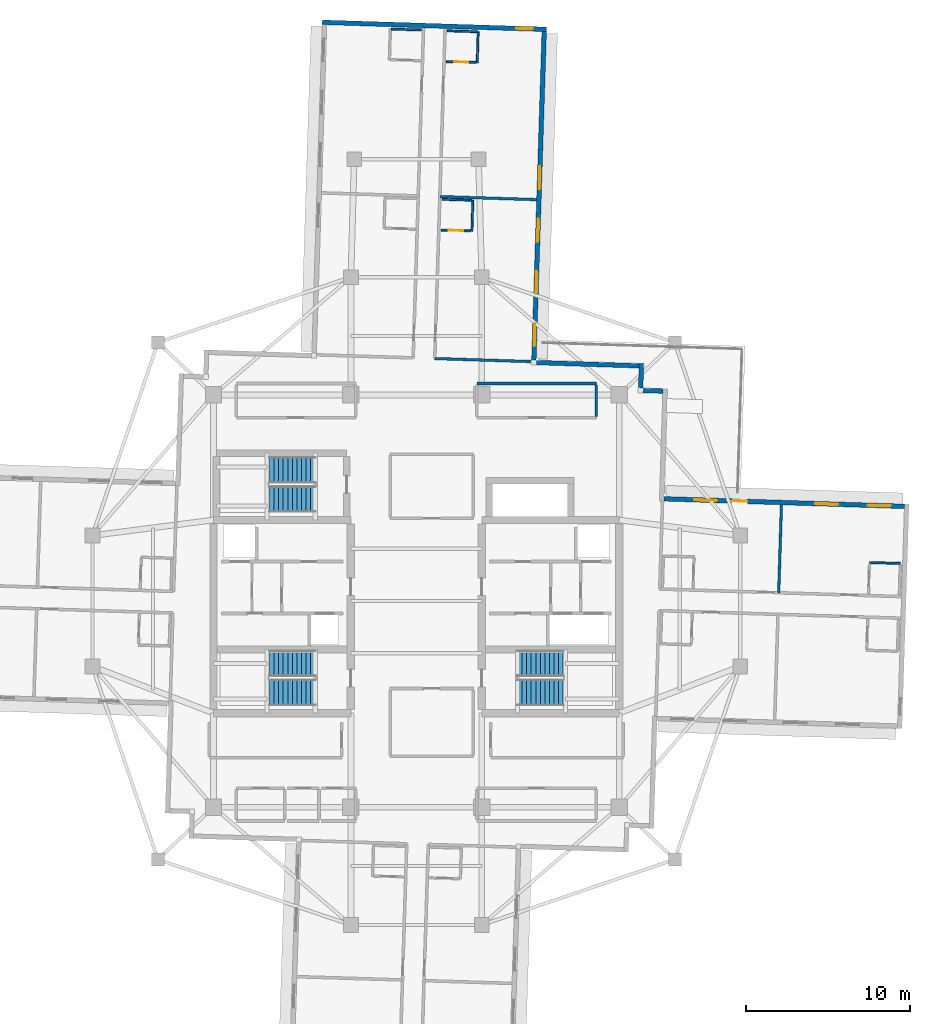
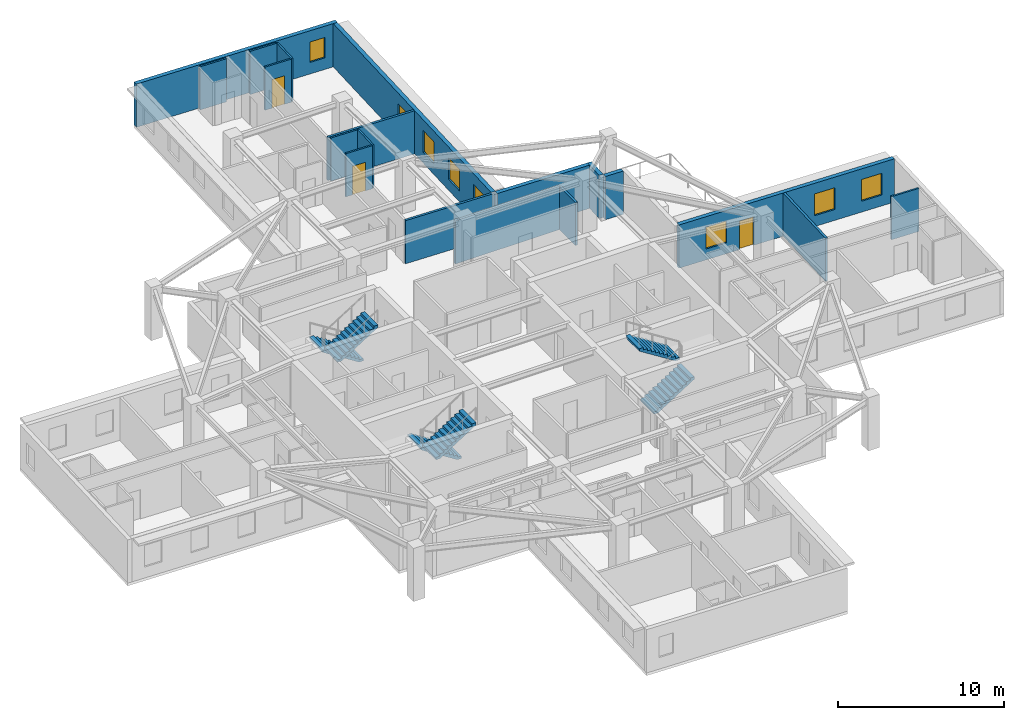
# One storey, part 8 of 12: 19 walls, 8 windows, 6 stair flights, 3 doors, 11 openings, 3 elements without a shape of their own.
"""IFC4 building model written with IfcOpenShell, lengths in metres."""

import ifcopenshell
import ifcopenshell.guid

model = None  # the IFC model being written
_history = None  # IfcOwnerHistory: only IFC2X3 demands one
_inside = {}  # id of a spatial element -> (the spatial element, [elements in it])
_under = {}  # id of a project, library or spatial element -> (it, [spatial elements below it])
_declared = {}  # id of a project -> (the project, [libraries it declares])
_typed = {}  # id of a type object -> (the type object, [elements of that type])
_made_of = {}  # id of a material, layer set ... -> (it, [elements and type objects made of it])


def new_model(schema):
    """Start an empty IFC model of exactly this schema.

    Asked for "IFC4X3", IfcOpenShell would pick the latest addendum, in which some entities
    have other attributes; the version numbers below select the first issue.
    IFC2X3 requires an IfcOwnerHistory on every rooted entity: one is made here for all.
    """
    global model, _history
    if schema == "IFC4X3":
        model = ifcopenshell.file(schema_version=(4, 3, 0, 0))
    else:
        model = ifcopenshell.file(schema=schema)
    _inside.clear()
    _under.clear()
    _declared.clear()
    _typed.clear()
    _made_of.clear()
    _history = None
    if model.schema == "IFC2X3":
        org = make("IfcOrganization", Name="unknown")
        user = make(
            "IfcPersonAndOrganization",
            ThePerson=make("IfcPerson", FamilyName="unknown"),
            TheOrganization=org,
        )
        app = make(
            "IfcApplication",
            ApplicationDeveloper=org,
            Version="unknown",
            ApplicationFullName="unknown",
            ApplicationIdentifier="unknown",
        )
        _history = make(
            "IfcOwnerHistory",
            OwningUser=user,
            OwningApplication=app,
            ChangeAction="ADDED",
            CreationDate=0,
        )
    return model


def make(cls, **values):
    """One entity of the class cls with the attributes given. An attribute that is None is left unset."""
    return model.create_entity(
        cls, **{name: value for name, value in values.items() if value is not None}
    )


def rooted(cls, **values):
    """An entity with a GlobalId (a new one), such as an element, a storey or a relation."""
    return make(cls, GlobalId=ifcopenshell.guid.new(), OwnerHistory=_history, **values)


def si_unit(unit_type, name, prefix=None):
    """IfcSIUnit, for example si_unit("LENGTHUNIT", "METRE", prefix="MILLI")."""
    return make("IfcSIUnit", UnitType=unit_type, Prefix=prefix, Name=name)


def assignment(units):
    """IfcUnitAssignment: the units of a project."""
    return None if units is None else make("IfcUnitAssignment", Units=units)


def point(xyz):
    """IfcCartesianPoint."""
    return None if xyz is None else make("IfcCartesianPoint", Coordinates=xyz)


def direction(xyz):
    """IfcDirection."""
    return None if xyz is None else make("IfcDirection", DirectionRatios=xyz)


def frame(location, z_axis=None, x_axis=None):
    """IfcAxis2Placement3D, a coordinate frame: its origin and axes. An axis left out is left unset."""
    return make(
        "IfcAxis2Placement3D",
        Location=point(location),
        Axis=direction(z_axis),
        RefDirection=direction(x_axis),
    )


def frame_2d(location, x_axis=None):
    """IfcAxis2Placement2D, a coordinate frame in the plane: its origin and x axis."""
    return make(
        "IfcAxis2Placement2D", Location=point(location), RefDirection=direction(x_axis)
    )


def origin():
    """The frame at (0, 0, 0) with its axes left unset."""
    return frame((0.0, 0.0, 0.0))


def place(relative_to, where):
    """IfcLocalPlacement: puts the frame where relative to a parent placement (None: the world)."""
    return make(
        "IfcLocalPlacement", PlacementRelTo=relative_to, RelativePlacement=where
    )


def context(
    kind, dimensions, precision=None, world=None, true_north=None, identifier=None
):
    """IfcGeometricRepresentationContext, for example the 3D "Model" context."""
    return make(
        "IfcGeometricRepresentationContext",
        ContextIdentifier=identifier,
        ContextType=kind,
        CoordinateSpaceDimension=dimensions,
        Precision=precision,
        WorldCoordinateSystem=world,
        TrueNorth=true_north,
    )


def subcontext(parent, identifier, kind, view, scale=None):
    """IfcGeometricRepresentationSubContext, for example "Body" below "Model"."""
    return make(
        "IfcGeometricRepresentationSubContext",
        ContextIdentifier=identifier,
        ContextType=kind,
        ParentContext=parent,
        TargetScale=scale,
        TargetView=view,
    )


def project(units=None, contexts=None):
    """IfcProject with its units and contexts."""
    return rooted(
        "IfcProject",
        Name="project",
        RepresentationContexts=contexts,
        UnitsInContext=assignment(units),
    )


def spatial(cls, under=None, at=None, **own):
    """A site, building, storey or space (cls), placed at a placement, below another one or the project."""
    s = rooted(cls, ObjectPlacement=at, **own)
    if under is not None:
        _under.setdefault(under.id(), (under, []))[1].append(s)
    return s


def polyline(points):
    """IfcPolyline through the points."""
    return make("IfcPolyline", Points=[point(p) for p in points])


def profile(cls, at=None, kind="AREA", **sizes):
    """A parametric profile (cls). Its sizes go by their IFC names, for example OverallWidth=200.0."""
    return make(cls, ProfileType=kind, Position=at, **sizes)


def rectangle(**sizes):
    """IfcRectangleProfileDef."""
    return profile("IfcRectangleProfileDef", **sizes)


def outline(outer, holes=None, kind="AREA"):
    """IfcArbitraryClosedProfileDef: a profile drawn as a closed curve; with holes, ...WithVoids."""
    if holes is None:
        return make("IfcArbitraryClosedProfileDef", ProfileType=kind, OuterCurve=outer)
    return make(
        "IfcArbitraryProfileDefWithVoids",
        ProfileType=kind,
        OuterCurve=outer,
        InnerCurves=holes,
    )


def extrude(swept, where, along, depth):
    """IfcExtrudedAreaSolid: the profile swept, set in the frame where, extruded along a direction by depth."""
    return make(
        "IfcExtrudedAreaSolid",
        SweptArea=swept,
        Position=where,
        ExtrudedDirection=direction(along),
        Depth=depth,
    )


def shape(context_of_items, identifier, shape_type, items):
    """IfcShapeRepresentation: the items that make up one representation, for example the "Body"."""
    return make(
        "IfcShapeRepresentation",
        ContextOfItems=context_of_items,
        RepresentationIdentifier=identifier,
        RepresentationType=shape_type,
        Items=items,
    )


def material(Name=None, Category=None):
    """IfcMaterial."""
    return make("IfcMaterial", Name=Name, Category=Category)


def layer(
    of_material, thickness, ventilated=None, Name=None, Category=None, Priority=None
):
    """IfcMaterialLayer: one layer of a wall or slab, of a material (None: an air gap)."""
    return make(
        "IfcMaterialLayer",
        Material=of_material,
        LayerThickness=thickness,
        IsVentilated=ventilated,
        Name=Name,
        Category=Category,
        Priority=Priority,
    )


def layer_set(layers, Name=None):
    """IfcMaterialLayerSet."""
    return make("IfcMaterialLayerSet", MaterialLayers=layers, LayerSetName=Name)


def made_of(thing, what):
    """Note that an element or type object is made of a material, layer set ...; save() writes the relation."""
    if what is not None:
        _made_of.setdefault(what.id(), (what, []))[1].append(thing)
    return thing


def type_object(cls, material=None, **own):
    """A type object (cls), such as IfcWallType, which elements share."""
    return made_of(rooted(cls, **own), material)


def element(
    cls,
    number,
    at=None,
    inside=None,
    cuts=None,
    type_object=None,
    material=None,
    context=None,
    identifier="Body",
    shape_type=None,
    held_by="IfcProductDefinitionShape",
    body=None,
    shapes=None,
    **own,
):
    """One element of the class cls, such as IfcWall. Its Tag is "e" and its number.

    at: its placement. inside: the storey or other place that contains it. cuts: it is an
    opening in that element (IfcRelVoidsElement). A single representation is given by context,
    identifier, shape_type and body (its items); several are given by shapes. held_by: the class
    of the entity that holds the representations. save() writes the other relations.
    """
    e = rooted(cls, Tag="e%d" % number, ObjectPlacement=at, **own)
    if body is not None:
        shapes = [shape(context, identifier, shape_type, body)]
    if shapes is not None:
        e.Representation = make(held_by, Representations=shapes)
    if inside is not None:
        _inside.setdefault(inside.id(), (inside, []))[1].append(e)
    if cuts is not None:
        rooted(
            "IfcRelVoidsElement", RelatingBuildingElement=cuts, RelatedOpeningElement=e
        )
    if type_object is not None:
        _typed.setdefault(type_object.id(), (type_object, []))[1].append(e)
    return made_of(e, material)


def fill(opening, filler):
    """IfcRelFillsElement: the door or window that sits in an opening."""
    return rooted(
        "IfcRelFillsElement",
        RelatingOpeningElement=opening,
        RelatedBuildingElement=filler,
    )


def aggregate(whole, parts):
    """IfcRelAggregates: a whole, such as a stair, and the parts it consists of."""
    return rooted("IfcRelAggregates", RelatingObject=whole, RelatedObjects=parts)


def save(model, path):
    """Write the relations noted so far, then the file.

    IfcRelAggregates (storeys below a building ...), IfcRelContainedInSpatialStructure (elements
    in a storey), IfcRelDefinesByType, IfcRelAssociatesMaterial and IfcRelDeclares: one each for
    every whole, place, type object, material and project.
    """
    for whole, parts in _under.values():
        aggregate(whole, parts)
    for where, things in _inside.values():
        rooted(
            "IfcRelContainedInSpatialStructure",
            RelatedElements=things,
            RelatingStructure=where,
        )
    for kind, things in _typed.values():
        rooted("IfcRelDefinesByType", RelatedObjects=things, RelatingType=kind)
    for what, things in _made_of.values():
        rooted("IfcRelAssociatesMaterial", RelatedObjects=things, RelatingMaterial=what)
    for by, libraries in _declared.values():
        rooted("IfcRelDeclares", RelatingContext=by, RelatedDefinitions=libraries)
    model.write(path)


model = new_model("IFC4")

# Units and contexts
model_context = context("Model", 3, precision=1e-05, world=origin(), true_north=direction((0.0, 1.0)))
body_context = subcontext(model_context, "Body", "Model", "MODEL_VIEW")
ifc_project = project(units=[si_unit("LENGTHUNIT", "METRE"), si_unit("AREAUNIT", "SQUARE_METRE"), si_unit("VOLUMEUNIT", "CUBIC_METRE"), si_unit("PLANEANGLEUNIT", "RADIAN"), si_unit("MASSUNIT", "GRAM", prefix="KILO")], contexts=[model_context])

# Site, building, storey
site_placement = place(None, origin())
site = spatial("IfcSite", under=ifc_project, at=site_placement, CompositionType="ELEMENT")
building_placement = place(site_placement, origin())
building = spatial("IfcBuilding", under=site, at=building_placement, Name="Qingluan Cross Belvedere", CompositionType="ELEMENT")
storey_placement = place(building_placement, frame((0.0, 0.0, 232.5)))
storey = spatial("IfcBuildingStorey", under=building, at=storey_placement, Name="L58", CompositionType="ELEMENT", Elevation=232.5)

# Walls
ifc_material_1 = material(Name="Gypsum plasterboard on steel stud acoustic partition", Category="steel")
ifc_layer_1 = layer(ifc_material_1, 0.159912109375, Name="CorridorPartition_160")
ifc_layer_set_1 = layer_set([ifc_layer_1], Name="Gypsum plasterboard on steel stud acoustic partition")
wall_type_1 = type_object("IfcWallType", Name="CorridorPartition_160", PredefinedType="PARTITIONING", material=ifc_layer_set_1)
wall_1_placement = place(storey_placement, frame((3.699951171875, 13.300048828125, 0.0), z_axis=(0.0, 0.0, 1.0), x_axis=(1.0, 0.0, 0.0)))
element("IfcWall", 1, at=wall_1_placement, inside=storey, type_object=wall_type_1, Name="Partition L58:q_ne:N", PredefinedType="PARTITIONING", context=body_context, shape_type="SweptSolid", body=[
    extrude(rectangle(XDim=7.300048828125, YDim=0.159912109375, at=frame_2d((3.64990234375, 0.0))), origin(), (0.0, 0.0, 1.0), 3.169921875),
])
wall_2_placement = place(storey_placement, frame((11.0, 11.284912109375, 0.0), z_axis=(0.0, 0.0, 1.0), x_axis=(0.0, 1.0, 0.0)))
element("IfcWall", 2, at=wall_2_placement, inside=storey, type_object=wall_type_1, Name="Partition L58:q_ne:E", PredefinedType="PARTITIONING", context=body_context, shape_type="SweptSolid", body=[
    extrude(rectangle(XDim=1.93017578125, YDim=0.159912109375, at=frame_2d((0.965087890625, 0.0))), origin(), (0.0, 0.0, 1.0), 3.169921875),
])
wall_3_placement = place(storey_placement, frame((22.15087890625, 0.50439453125, 0.0), z_axis=(0.0, 0.0, 1.0), x_axis=(0.031403591545, 0.999506785589, 0.0)))
element("IfcWall", 3, at=wall_3_placement, inside=storey, type_object=wall_type_1, Name="Partition L58:E:d0_0", PredefinedType="PARTITIONING", context=body_context, shape_type="SweptSolid", body=[
    extrude(rectangle(XDim=5.3720703125, YDim=0.159912109375, at=frame_2d((2.68603515625, 0.0))), origin(), (0.0, 0.0, 1.0), 3.169921875),
])
wall_4_placement = place(storey_placement, frame((1.126220703125, 14.822021484375, 0.0), z_axis=(0.0, 0.0, 1.0), x_axis=(0.999506122926, -0.031424675557, 0.0)))
element("IfcWall", 4, at=wall_4_placement, inside=storey, type_object=wall_type_1, Name="Partition L58:N:s0", PredefinedType="PARTITIONING", context=body_context, shape_type="SweptSolid", body=[
    extrude(rectangle(XDim=6.059814453125, YDim=0.159912109375, at=frame_2d((3.02978515625, 0.0))), origin(), (0.0, 0.0, 1.0), 3.169921875),
])
wall_5_placement = place(storey_placement, frame((1.437255859375, 24.72216796875, 0.0), z_axis=(0.0, 0.0, 1.0), x_axis=(0.999506054485, -0.031426852351, 0.0)))
element("IfcWall", 5, at=wall_5_placement, inside=storey, type_object=wall_type_1, Name="Partition L58:N:d0_0", PredefinedType="PARTITIONING", context=body_context, shape_type="SweptSolid", body=[
    extrude(rectangle(XDim=5.911865234375, YDim=0.159912109375, at=frame_2d((2.9560546875, 0.0))), origin(), (0.0, 0.0, 1.0), 3.169921875),
])
ifc_material_2 = material(Name="Moisture-resistant gypsum board lining")
ifc_layer_2 = layer(ifc_material_2, 0.1201171875, Name="EnsuiteWetPartition_120")
ifc_layer_set_2 = layer_set([ifc_layer_2], Name="Moisture-resistant gypsum board lining")
wall_type_2 = type_object("IfcWallType", Name="EnsuiteWetPartition_120", PredefinedType="PARTITIONING", material=ifc_layer_set_2)
wall_6_placement = place(storey_placement, frame((27.707763671875, 2.355712890625, 0.0), z_axis=(0.0, 0.0, 1.0), x_axis=(0.999510046681, -0.031299625942, 0.0)))
element("IfcWall", 6, at=wall_6_placement, inside=storey, type_object=wall_type_2, Name="Partition L58:E:bn0_1", PredefinedType="PARTITIONING", context=body_context, shape_type="SweptSolid", body=[
    extrude(rectangle(XDim=1.8798828125, YDim=0.1201171875, at=frame_2d((0.93994140625, 0.0))), origin(), (0.0, 0.0, 1.0), 3.169921875),
])

# Wall, opening, door
wall_7_placement = place(storey_placement, frame((1.51318359375, 22.6787109375, 0.0), z_axis=(0.0, 0.0, 1.0), x_axis=(0.999507221803, -0.031389704724, 0.0)))
wall_7 = element("IfcWall", 7, at=wall_7_placement, inside=storey, type_object=wall_type_2, Name="Partition L58:N:bs0_0", PredefinedType="PARTITIONING", context=body_context, shape_type="SweptSolid", body=[
    extrude(rectangle(XDim=1.820068359375, YDim=0.1201171875, at=frame_2d((0.91015625, 0.0))), origin(), (0.0, 0.0, 1.0), 3.169921875),
])
opening_1_placement = place(wall_7_placement, frame((0.469970703125, 0.0, 0.0)))
opening_1 = element("IfcOpeningElement", 8, at=opening_1_placement, cuts=wall_7, Name="Opening BD-09", PredefinedType="OPENING", context=body_context, shape_type="SweptSolid", body=[
    extrude(rectangle(XDim=0.8798828125, YDim=2.10009765625, at=frame_2d((0.43994140625, 1.050048828125))), frame((0.0, 0.070068359375, 0.0), z_axis=(0.0, -1.0, 0.0), x_axis=(1.0, 0.0, 0.0)), (0.0, 0.0, 1.0), 0.14013671875),
])
ifc_material_3 = material(Name="Moisture-sealed timber en-suite door", Category="wood")
door_type_1 = type_object("IfcDoorType", Name="BathroomDoor_880", OperationType="NOTDEFINED", PredefinedType="DOOR", material=ifc_material_3)
door_1_placement = place(opening_1_placement, origin())
door_1 = element("IfcDoor", 9, at=door_1_placement, inside=storey, type_object=door_type_1, Name="Bathroom door 5809", OperationType="SINGLE_SWING_LEFT", OverallHeight=2.10009765625, OverallWidth=0.8798828125, PredefinedType="DOOR", context=body_context, shape_type="SweptSolid", body=[
    extrude(rectangle(XDim=0.8798828125, YDim=2.10009765625, at=frame_2d((0.43994140625, 1.050048828125))), frame((0.0, 0.02490234375, 0.0), z_axis=(0.0, -1.0, 0.0), x_axis=(1.0, 0.0, 0.0)), (0.0, 0.0, 1.0), 0.050048828125),
])
fill(opening_1, door_1)

# Walls
wall_8_placement = place(storey_placement, frame((1.572265625, 24.5576171875, 0.0), z_axis=(0.0, 0.0, 1.0), x_axis=(0.999507221803, -0.031389704724, 0.0)))
element("IfcWall", 10, at=wall_8_placement, inside=storey, type_object=wall_type_2, Name="Partition L58:N:bw0_0", PredefinedType="PARTITIONING", context=body_context, shape_type="SweptSolid", body=[
    extrude(rectangle(XDim=1.820068359375, YDim=0.1201171875, at=frame_2d((0.91015625, 0.0))), origin(), (0.0, 0.0, 1.0), 3.169921875),
])
wall_9_placement = place(storey_placement, frame((3.397216796875, 22.619384765625, 0.0), z_axis=(0.0, 0.0, 1.0), x_axis=(0.031425292588, 0.999506103526, 0.0)))
element("IfcWall", 11, at=wall_9_placement, inside=storey, type_object=wall_type_2, Name="Partition L58:N:bn0_0", PredefinedType="PARTITIONING", context=body_context, shape_type="SweptSolid", body=[
    extrude(rectangle(XDim=1.880126953125, YDim=0.1201171875, at=frame_2d((0.93994140625, 0.0))), origin(), (0.0, 0.0, 1.0), 3.169921875),
])

# Wall, opening, door
wall_10_placement = place(storey_placement, frame((1.8369140625, 32.978515625, 0.0), z_axis=(0.0, 0.0, 1.0), x_axis=(0.999507221803, -0.031389704724, 0.0)))
wall_10 = element("IfcWall", 12, at=wall_10_placement, inside=storey, type_object=wall_type_2, Name="Partition L58:N:bs0_1", PredefinedType="PARTITIONING", context=body_context, shape_type="SweptSolid", body=[
    extrude(rectangle(XDim=1.820068359375, YDim=0.1201171875, at=frame_2d((0.91015625, 0.0))), origin(), (0.0, 0.0, 1.0), 3.169921875),
])
opening_2_placement = place(wall_10_placement, frame((0.469970703125, 0.0, 0.0)))
opening_2 = element("IfcOpeningElement", 13, at=opening_2_placement, cuts=wall_10, Name="Opening BD-09", PredefinedType="OPENING", context=body_context, shape_type="SweptSolid", body=[
    extrude(rectangle(XDim=0.8798828125, YDim=2.10009765625, at=frame_2d((0.43994140625, 1.050048828125))), frame((0.0, 0.070068359375, 0.0), z_axis=(0.0, -1.0, 0.0), x_axis=(1.0, 0.0, 0.0)), (0.0, 0.0, 1.0), 0.14013671875),
])
door_2_placement = place(opening_2_placement, origin())
door_2 = element("IfcDoor", 14, at=door_2_placement, inside=storey, type_object=door_type_1, Name="Bathroom door 5810", OperationType="SINGLE_SWING_LEFT", OverallHeight=2.10009765625, OverallWidth=0.8798828125, PredefinedType="DOOR", context=body_context, shape_type="SweptSolid", body=[
    extrude(rectangle(XDim=0.8798828125, YDim=2.10009765625, at=frame_2d((0.43994140625, 1.050048828125))), frame((0.0, 0.02490234375, 0.0), z_axis=(0.0, -1.0, 0.0), x_axis=(1.0, 0.0, 0.0)), (0.0, 0.0, 1.0), 0.050048828125),
])
fill(opening_2, door_2)

# Walls
wall_11_placement = place(storey_placement, frame((1.895751953125, 34.857666015625, 0.0), z_axis=(0.0, 0.0, 1.0), x_axis=(0.999507221803, -0.031389704724, 0.0)))
element("IfcWall", 15, at=wall_11_placement, inside=storey, type_object=wall_type_2, Name="Partition L58:N:bw0_1", PredefinedType="PARTITIONING", context=body_context, shape_type="SweptSolid", body=[
    extrude(rectangle(XDim=1.820068359375, YDim=0.1201171875, at=frame_2d((0.91015625, 0.0))), origin(), (0.0, 0.0, 1.0), 3.169921875),
])
wall_12_placement = place(storey_placement, frame((3.720947265625, 32.91943359375, 0.0), z_axis=(0.0, 0.0, 1.0), x_axis=(0.031299625942, 0.999510046681, 0.0)))
element("IfcWall", 16, at=wall_12_placement, inside=storey, type_object=wall_type_2, Name="Partition L58:N:bn0_1", PredefinedType="PARTITIONING", context=body_context, shape_type="SweptSolid", body=[
    extrude(rectangle(XDim=1.8798828125, YDim=0.1201171875, at=frame_2d((0.93994140625, 0.0))), origin(), (0.0, 0.0, 1.0), 3.169921875),
])
wall_13_placement = place(storey_placement, frame((-1.5224609375, 34.965087890625, 0.0), z_axis=(0.0, 0.0, 1.0), x_axis=(0.999507221803, -0.031389704724, 0.0)))
element("IfcWall", 17, at=wall_13_placement, inside=storey, type_object=wall_type_2, Name="Partition L58:N:bw1_1", PredefinedType="PARTITIONING", context=body_context, shape_type="SweptSolid", body=[
    extrude(rectangle(XDim=1.820068359375, YDim=0.1201171875, at=frame_2d((0.91015625, 0.0))), origin(), (0.0, 0.0, 1.0), 3.169921875),
])

# Wall, openings, windows, door
ifc_material_4 = material(Name="Precast concrete C45", Category="concrete")
ifc_layer_3 = layer(ifc_material_4, 0.280029296875, Name="PrecastFacadeWall_280")
ifc_layer_set_3 = layer_set([ifc_layer_3], Name="Precast concrete C45")
wall_type_3 = type_object("IfcWallType", Name="PrecastFacadeWall_280", PredefinedType="STANDARD", material=ifc_layer_set_3)
wall_14_placement = place(storey_placement, frame((29.83642578125, 5.78564453125, 0.0), z_axis=(0.0, 0.0, 1.0), x_axis=(-0.999506698073, 0.031406376864, 0.0)))
wall_14 = element("IfcWall", 18, at=wall_14_placement, inside=storey, type_object=wall_type_3, Name="Facade wall L58-EB", PredefinedType="STANDARD", context=body_context, shape_type="SweptSolid", body=[
    extrude(rectangle(XDim=14.699951171875, YDim=0.280029296875, at=frame_2d((7.35009765625, 0.0))), origin(), (0.0, 0.0, 1.0), 3.179931640625),
])
opening_3_placement = place(wall_14_placement, frame((0.85009765625, 0.0, 0.800048828125)))
opening_3 = element("IfcOpeningElement", 19, at=opening_3_placement, cuts=wall_14, Name="Opening W-01", PredefinedType="OPENING", context=body_context, shape_type="SweptSolid", body=[
    extrude(rectangle(XDim=1.39990234375, YDim=1.60009765625, at=frame_2d((0.699951171875, 0.800048828125))), frame((0.0, 0.14990234375, 0.0), z_axis=(0.0, -1.0, 0.0), x_axis=(1.0, 0.0, 0.0)), (0.0, 0.0, 1.0), 0.300048828125),
])
opening_4_placement = place(wall_14_placement, frame((4.050048828125, 0.0, 0.800048828125)))
opening_4 = element("IfcOpeningElement", 20, at=opening_4_placement, cuts=wall_14, Name="Opening W-01", PredefinedType="OPENING", context=body_context, shape_type="SweptSolid", body=[
    extrude(rectangle(XDim=1.39990234375, YDim=1.60009765625, at=frame_2d((0.699951171875, 0.800048828125))), frame((0.0, 0.14990234375, 0.0), z_axis=(0.0, -1.0, 0.0), x_axis=(1.0, 0.0, 0.0)), (0.0, 0.0, 1.0), 0.300048828125),
])
opening_5_placement = place(wall_14_placement, frame((11.449951171875, 0.0, 0.800048828125)))
opening_5 = element("IfcOpeningElement", 21, at=opening_5_placement, cuts=wall_14, Name="Opening W-01", PredefinedType="OPENING", context=body_context, shape_type="SweptSolid", body=[
    extrude(rectangle(XDim=1.39990234375, YDim=1.60009765625, at=frame_2d((0.699951171875, 0.800048828125))), frame((0.0, 0.14990234375, 0.0), z_axis=(0.0, -1.0, 0.0), x_axis=(1.0, 0.0, 0.0)), (0.0, 0.0, 1.0), 0.300048828125),
])
opening_6_placement = place(wall_14_placement, frame((9.60009765625, 0.0, 0.0)))
opening_6 = element("IfcOpeningElement", 22, at=opening_6_placement, cuts=wall_14, Name="Opening WD-10", PredefinedType="OPENING", context=body_context, shape_type="SweptSolid", body=[
    extrude(rectangle(XDim=0.9599609375, YDim=2.10009765625, at=frame_2d((0.47998046875, 1.050048828125))), frame((0.0, 0.14990234375, 0.0), z_axis=(0.0, -1.0, 0.0), x_axis=(1.0, 0.0, 0.0)), (0.0, 0.0, 1.0), 0.300048828125),
])
ifc_material_5 = material(Name="Thermally broken triple Low-E glass in aluminium frame", Category="aluminium")
window_type_1 = type_object("IfcWindowType", Name="TriRibbonWin_1400x1600", PartitioningType="SINGLE_PANEL", PredefinedType="WINDOW", material=ifc_material_5)
window_1_placement = place(opening_3_placement, origin())
window_1 = element("IfcWindow", 23, at=window_1_placement, inside=storey, type_object=window_type_1, Name="Ribbon window L58-EB-1", OverallHeight=1.60009765625, OverallWidth=1.39990234375, PartitioningType="SINGLE_PANEL", PredefinedType="WINDOW", context=body_context, shape_type="SweptSolid", body=[
    extrude(rectangle(XDim=1.39990234375, YDim=1.60009765625, at=frame_2d((0.699951171875, 0.800048828125))), frame((0.0, 0.030029296875, 0.0), z_axis=(0.0, -1.0, 0.0), x_axis=(1.0, 0.0, 0.0)), (0.0, 0.0, 1.0), 0.06005859375),
])
fill(opening_3, window_1)
window_2_placement = place(opening_4_placement, origin())
window_2 = element("IfcWindow", 24, at=window_2_placement, inside=storey, type_object=window_type_1, Name="Ribbon window L58-EB-2", OverallHeight=1.60009765625, OverallWidth=1.39990234375, PartitioningType="SINGLE_PANEL", PredefinedType="WINDOW", context=body_context, shape_type="SweptSolid", body=[
    extrude(rectangle(XDim=1.39990234375, YDim=1.60009765625, at=frame_2d((0.699951171875, 0.800048828125))), frame((0.0, 0.030029296875, 0.0), z_axis=(0.0, -1.0, 0.0), x_axis=(1.0, 0.0, 0.0)), (0.0, 0.0, 1.0), 0.06005859375),
])
fill(opening_4, window_2)
window_3_placement = place(opening_5_placement, origin())
window_3 = element("IfcWindow", 25, at=window_3_placement, inside=storey, type_object=window_type_1, Name="Ribbon window L58-EB-4", OverallHeight=1.60009765625, OverallWidth=1.39990234375, PartitioningType="SINGLE_PANEL", PredefinedType="WINDOW", context=body_context, shape_type="SweptSolid", body=[
    extrude(rectangle(XDim=1.39990234375, YDim=1.60009765625, at=frame_2d((0.699951171875, 0.800048828125))), frame((0.0, 0.030029296875, 0.0), z_axis=(0.0, -1.0, 0.0), x_axis=(1.0, 0.0, 0.0)), (0.0, 0.0, 1.0), 0.06005859375),
])
fill(opening_5, window_3)
ifc_material_6 = material(Name="Thermally broken aluminium and Low-E glass", Category="aluminium")
door_type_2 = type_object("IfcDoorType", Name="WinterGardenDoor_096", OperationType="NOTDEFINED", PredefinedType="DOOR", material=ifc_material_6)
door_3_placement = place(opening_6_placement, origin())
door_3 = element("IfcDoor", 26, at=door_3_placement, inside=storey, type_object=door_type_2, Name="Outdoor terrace access door L58-spi", OperationType="SINGLE_SWING_RIGHT", OverallHeight=2.10009765625, OverallWidth=0.9599609375, PredefinedType="DOOR", context=body_context, shape_type="SweptSolid", body=[
    extrude(rectangle(XDim=0.9599609375, YDim=2.10009765625, at=frame_2d((0.47998046875, 1.050048828125))), frame((0.0, 0.02490234375, 0.0), z_axis=(0.0, -1.0, 0.0), x_axis=(1.0, 0.0, 0.0)), (0.0, 0.0, 1.0), 0.050048828125),
])
fill(opening_6, door_3)

# Wall, openings, windows
wall_15_placement = place(storey_placement, frame((7.18603515625, 14.721435546875, 0.0), z_axis=(0.0, 0.0, 1.0), x_axis=(0.031410322165, 0.999506574096, 0.0)))
wall_15 = element("IfcWall", 27, at=wall_15_placement, inside=storey, type_object=wall_type_3, Name="Facade wall L58-NA", PredefinedType="STANDARD", context=body_context, shape_type="SweptSolid", body=[
    extrude(rectangle(XDim=20.10009765625, YDim=0.280029296875, at=frame_2d((10.050048828125, 0.0))), origin(), (0.0, 0.0, 1.0), 3.179931640625),
])
opening_7_placement = place(wall_15_placement, frame((0.85009765625, 0.0, 0.800048828125)))
opening_7 = element("IfcOpeningElement", 28, at=opening_7_placement, cuts=wall_15, Name="Opening W-01", PredefinedType="OPENING", context=body_context, shape_type="SweptSolid", body=[
    extrude(rectangle(XDim=1.39990234375, YDim=1.60009765625, at=frame_2d((0.699951171875, 0.800048828125))), frame((0.0, 0.14990234375, 0.0), z_axis=(0.0, -1.0, 0.0), x_axis=(1.0, 0.0, 0.0)), (0.0, 0.0, 1.0), 0.300048828125),
])
opening_8_placement = place(wall_15_placement, frame((4.050048828125, 0.0, 0.800048828125)))
opening_8 = element("IfcOpeningElement", 29, at=opening_8_placement, cuts=wall_15, Name="Opening W-01", PredefinedType="OPENING", context=body_context, shape_type="SweptSolid", body=[
    extrude(rectangle(XDim=1.39990234375, YDim=1.60009765625, at=frame_2d((0.699951171875, 0.800048828125))), frame((0.0, 0.14990234375, 0.0), z_axis=(0.0, -1.0, 0.0), x_axis=(1.0, 0.0, 0.0)), (0.0, 0.0, 1.0), 0.300048828125),
])
opening_9_placement = place(wall_15_placement, frame((7.25, 0.0, 0.800048828125)))
opening_9 = element("IfcOpeningElement", 30, at=opening_9_placement, cuts=wall_15, Name="Opening W-01", PredefinedType="OPENING", context=body_context, shape_type="SweptSolid", body=[
    extrude(rectangle(XDim=1.39990234375, YDim=1.60009765625, at=frame_2d((0.699951171875, 0.800048828125))), frame((0.0, 0.14990234375, 0.0), z_axis=(0.0, -1.0, 0.0), x_axis=(1.0, 0.0, 0.0)), (0.0, 0.0, 1.0), 0.300048828125),
])
opening_10_placement = place(wall_15_placement, frame((10.449951171875, 0.0, 0.800048828125)))
opening_10 = element("IfcOpeningElement", 31, at=opening_10_placement, cuts=wall_15, Name="Opening W-01", PredefinedType="OPENING", context=body_context, shape_type="SweptSolid", body=[
    extrude(rectangle(XDim=1.39990234375, YDim=1.60009765625, at=frame_2d((0.699951171875, 0.800048828125))), frame((0.0, 0.14990234375, 0.0), z_axis=(0.0, -1.0, 0.0), x_axis=(1.0, 0.0, 0.0)), (0.0, 0.0, 1.0), 0.300048828125),
])
window_4_placement = place(opening_7_placement, origin())
window_4 = element("IfcWindow", 32, at=window_4_placement, inside=storey, type_object=window_type_1, Name="Ribbon window L58-NA-1", OverallHeight=1.60009765625, OverallWidth=1.39990234375, PartitioningType="SINGLE_PANEL", PredefinedType="WINDOW", context=body_context, shape_type="SweptSolid", body=[
    extrude(rectangle(XDim=1.39990234375, YDim=1.60009765625, at=frame_2d((0.699951171875, 0.800048828125))), frame((0.0, 0.030029296875, 0.0), z_axis=(0.0, -1.0, 0.0), x_axis=(1.0, 0.0, 0.0)), (0.0, 0.0, 1.0), 0.06005859375),
])
fill(opening_7, window_4)
window_5_placement = place(opening_8_placement, origin())
window_5 = element("IfcWindow", 33, at=window_5_placement, inside=storey, type_object=window_type_1, Name="Ribbon window L58-NA-2", OverallHeight=1.60009765625, OverallWidth=1.39990234375, PartitioningType="SINGLE_PANEL", PredefinedType="WINDOW", context=body_context, shape_type="SweptSolid", body=[
    extrude(rectangle(XDim=1.39990234375, YDim=1.60009765625, at=frame_2d((0.699951171875, 0.800048828125))), frame((0.0, 0.030029296875, 0.0), z_axis=(0.0, -1.0, 0.0), x_axis=(1.0, 0.0, 0.0)), (0.0, 0.0, 1.0), 0.06005859375),
])
fill(opening_8, window_5)
window_6_placement = place(opening_9_placement, origin())
window_6 = element("IfcWindow", 34, at=window_6_placement, inside=storey, type_object=window_type_1, Name="Ribbon window L58-NA-3", OverallHeight=1.60009765625, OverallWidth=1.39990234375, PartitioningType="SINGLE_PANEL", PredefinedType="WINDOW", context=body_context, shape_type="SweptSolid", body=[
    extrude(rectangle(XDim=1.39990234375, YDim=1.60009765625, at=frame_2d((0.699951171875, 0.800048828125))), frame((0.0, 0.030029296875, 0.0), z_axis=(0.0, -1.0, 0.0), x_axis=(1.0, 0.0, 0.0)), (0.0, 0.0, 1.0), 0.06005859375),
])
fill(opening_9, window_6)
window_7_placement = place(opening_10_placement, origin())
window_7 = element("IfcWindow", 35, at=window_7_placement, inside=storey, type_object=window_type_1, Name="Ribbon window L58-NA-4", OverallHeight=1.60009765625, OverallWidth=1.39990234375, PartitioningType="SINGLE_PANEL", PredefinedType="WINDOW", context=body_context, shape_type="SweptSolid", body=[
    extrude(rectangle(XDim=1.39990234375, YDim=1.60009765625, at=frame_2d((0.699951171875, 0.800048828125))), frame((0.0, 0.030029296875, 0.0), z_axis=(0.0, -1.0, 0.0), x_axis=(1.0, 0.0, 0.0)), (0.0, 0.0, 1.0), 0.06005859375),
])
fill(opening_10, window_7)

# Wall, opening, window
wall_16_placement = place(storey_placement, frame((7.961669921875, 34.947265625, 0.0), z_axis=(0.0, 0.0, 1.0), x_axis=(-0.999506679556, 0.031406966164, 0.0)))
wall_16 = element("IfcWall", 36, at=wall_16_placement, inside=storey, type_object=wall_type_3, Name="Arm tip precast facade wall L58-N", PredefinedType="STANDARD", context=body_context, shape_type="SweptSolid", body=[
    extrude(rectangle(XDim=13.72021484375, YDim=0.280029296875, at=frame_2d((6.860107421875, 0.0))), origin(), (0.0, 0.0, 1.0), 3.179931640625),
])
opening_11_placement = place(wall_16_placement, frame((0.85009765625, 0.0, 0.85009765625)))
opening_11 = element("IfcOpeningElement", 37, at=opening_11_placement, cuts=wall_16, Name="Opening W-03", PredefinedType="OPENING", context=body_context, shape_type="SweptSolid", body=[
    extrude(rectangle(XDim=1.0, YDim=1.5, at=frame_2d((0.5, 0.75))), frame((0.0, 0.14990234375, 0.0), z_axis=(0.0, -1.0, 0.0), x_axis=(1.0, 0.0, 0.0)), (0.0, 0.0, 1.0), 0.300048828125),
])
ifc_material_7 = material(Name="Thermally broken triple Low-E glass in aluminium frame", Category="aluminium")
window_type_2 = type_object("IfcWindowType", Name="TriApexWin_1000x1500", PartitioningType="SINGLE_PANEL", PredefinedType="WINDOW", material=ifc_material_7)
window_8_placement = place(opening_11_placement, origin())
window_8 = element("IfcWindow", 38, at=window_8_placement, inside=storey, type_object=window_type_2, Name="Arm tip triangular window L58-N", OverallHeight=1.5, OverallWidth=1.0, PartitioningType="SINGLE_PANEL", PredefinedType="WINDOW", context=body_context, shape_type="SweptSolid", body=[
    extrude(rectangle(XDim=1.0, YDim=1.5, at=frame_2d((0.5, 0.75))), frame((0.0, 0.030029296875, 0.0), z_axis=(0.0, -1.0, 0.0), x_axis=(1.0, 0.0, 0.0)), (0.0, 0.0, 1.0), 0.06005859375),
])
fill(opening_11, window_8)

# Walls
wall_17_placement = place(storey_placement, frame((15.070556640625, 12.8330078125, 0.0), z_axis=(0.0, 0.0, 1.0), x_axis=(-0.999506398264, 0.031415916822, 0.0)))
element("IfcWall", 39, at=wall_17_placement, inside=storey, type_object=wall_type_3, Name="Corner wall L58-NE2", PredefinedType="STANDARD", context=body_context, shape_type="SweptSolid", body=[
    extrude(rectangle(XDim=1.219970703125, YDim=0.280029296875, at=frame_2d((0.60986328125, 0.0))), origin(), (0.0, 0.0, 1.0), 3.179931640625),
])
wall_18_placement = place(storey_placement, frame((13.715576171875, 13.015625, 0.0), z_axis=(0.0, 0.0, 1.0), x_axis=(0.031412596484, 0.999506502621, 0.0)))
element("IfcWall", 40, at=wall_18_placement, inside=storey, type_object=wall_type_3, Name="Corner wall L58-NE3", PredefinedType="STANDARD", context=body_context, shape_type="SweptSolid", body=[
    extrude(rectangle(XDim=1.5, YDim=0.280029296875, at=frame_2d((0.75, 0.0))), origin(), (0.0, 0.0, 1.0), 3.179931640625),
])
wall_19_placement = place(storey_placement, frame((13.618408203125, 14.37939453125, 0.0), z_axis=(0.0, 0.0, 1.0), x_axis=(-0.999507224741, 0.031389611199, 0.0)))
element("IfcWall", 41, at=wall_19_placement, inside=storey, type_object=wall_type_3, Name="Corner wall L58-NE4", PredefinedType="STANDARD", context=body_context, shape_type="SweptSolid", body=[
    extrude(rectangle(XDim=6.300048828125, YDim=0.280029296875, at=frame_2d((3.14990234375, 0.0))), origin(), (0.0, 0.0, 1.0), 3.179931640625),
])

# Stair, stair flights
ifc_material_8 = material(Name="Concrete C40", Category="concrete")
stair_type = type_object("IfcStairType", Name="CoreDoglegStair_1620", PredefinedType="HALF_TURN_STAIR", material=ifc_material_8)
stair_1_placement = place(storey_placement, origin())
stair_1 = element("IfcStair", 42, at=stair_1_placement, inside=storey, type_object=stair_type, Name="L58 ST1", PredefinedType="HALF_TURN_STAIR")
ifc_material_9 = material(Name="Concrete C40", Category="concrete")
ifc_layer_4 = layer(ifc_material_9, 0.179931640625, Name="StairFlight_RC180")
ifc_layer_set_4 = layer_set([ifc_layer_4], Name="Concrete C40")
stair_flight_type = type_object("IfcStairFlightType", Name="StairFlight_RC180", PredefinedType="STRAIGHT", material=ifc_layer_set_4)
stair_flight_1_placement = place(storey_placement, frame((-6.179931640625, -3.81005859375, 0.0), z_axis=(0.0, 0.0, 1.0), x_axis=(-1.0, 0.0, 0.0)))
stair_flight_1 = element("IfcStairFlight", 43, at=stair_flight_1_placement, type_object=stair_flight_type, Name="ST1 flight 1", NumberOfRisers=11, NumberOfTreads=10, PredefinedType="STRAIGHT", RiserHeight=0.177272727, TreadLength=0.28, context=body_context, shape_type="SweptSolid", body=[
    extrude(outline(polyline([(0.0, 0.0), (0.0, 0.17724609375), (0.280029296875, 0.17724609375), (0.280029296875, 0.3544921875), (0.56005859375, 0.3544921875), (0.56005859375, 0.53173828125), (0.840087890625, 0.53173828125), (0.840087890625, 0.708984375), (1.1201171875, 0.708984375), (1.1201171875, 0.886474609375), (1.39990234375, 0.886474609375), (1.39990234375, 1.063720703125), (1.679931640625, 1.063720703125), (1.679931640625, 1.240966796875), (1.9599609375, 1.240966796875), (1.9599609375, 1.418212890625), (2.239990234375, 1.418212890625), (2.239990234375, 1.595458984375), (2.52001953125, 1.595458984375), (2.52001953125, 1.772705078125), (2.800048828125, 1.772705078125), (2.800048828125, 1.949951171875), (2.800048828125, 1.59521484375), (0.2802734375, 0.0), (0.0, 0.0)])), frame((0.0, 0.81005859375, 0.0), z_axis=(0.0, -1.0, 0.0), x_axis=(1.0, 0.0, 0.0)), (0.0, 0.0, 1.0), 1.6201171875),
])
stair_flight_2_placement = place(storey_placement, frame((-8.97998046875, -5.590087890625, 1.949951171875), z_axis=(0.0, 0.0, 1.0), x_axis=(1.0, 0.0, 0.0)))
stair_flight_2 = element("IfcStairFlight", 44, at=stair_flight_2_placement, type_object=stair_flight_type, Name="ST1 flight 2", NumberOfRisers=11, NumberOfTreads=10, PredefinedType="STRAIGHT", RiserHeight=0.177272727, TreadLength=0.28, context=body_context, shape_type="SweptSolid", body=[
    extrude(outline(polyline([(0.0, 0.0), (0.0, 0.17724609375), (0.280029296875, 0.17724609375), (0.280029296875, 0.3544921875), (0.56005859375, 0.3544921875), (0.56005859375, 0.53173828125), (0.840087890625, 0.53173828125), (0.840087890625, 0.708984375), (1.1201171875, 0.708984375), (1.1201171875, 0.886474609375), (1.39990234375, 0.886474609375), (1.39990234375, 1.063720703125), (1.679931640625, 1.063720703125), (1.679931640625, 1.240966796875), (1.9599609375, 1.240966796875), (1.9599609375, 1.418212890625), (2.239990234375, 1.418212890625), (2.239990234375, 1.595458984375), (2.52001953125, 1.595458984375), (2.52001953125, 1.772705078125), (2.800048828125, 1.772705078125), (2.800048828125, 1.949951171875), (2.800048828125, 1.59521484375), (0.2802734375, 0.0), (0.0, 0.0)])), frame((0.0, 0.81005859375, 0.0), z_axis=(0.0, -1.0, 0.0), x_axis=(1.0, 0.0, 0.0)), (0.0, 0.0, 1.0), 1.6201171875),
])
aggregate(stair_1, [stair_flight_1, stair_flight_2])

stair_2_placement = place(storey_placement, origin())
stair_2 = element("IfcStair", 45, at=stair_2_placement, inside=storey, type_object=stair_type, Name="L58 ST2", PredefinedType="HALF_TURN_STAIR")
stair_flight_3_placement = place(storey_placement, frame((6.179931640625, -5.590087890625, 0.0), z_axis=(0.0, 0.0, 1.0), x_axis=(1.0, 0.0, 0.0)))
stair_flight_3 = element("IfcStairFlight", 46, at=stair_flight_3_placement, type_object=stair_flight_type, Name="ST2 flight 1", NumberOfRisers=11, NumberOfTreads=10, PredefinedType="STRAIGHT", RiserHeight=0.177272727, TreadLength=0.28, context=body_context, shape_type="SweptSolid", body=[
    extrude(outline(polyline([(0.0, 0.0), (0.0, 0.17724609375), (0.280029296875, 0.17724609375), (0.280029296875, 0.3544921875), (0.56005859375, 0.3544921875), (0.56005859375, 0.53173828125), (0.840087890625, 0.53173828125), (0.840087890625, 0.708984375), (1.1201171875, 0.708984375), (1.1201171875, 0.886474609375), (1.39990234375, 0.886474609375), (1.39990234375, 1.063720703125), (1.679931640625, 1.063720703125), (1.679931640625, 1.240966796875), (1.9599609375, 1.240966796875), (1.9599609375, 1.418212890625), (2.239990234375, 1.418212890625), (2.239990234375, 1.595458984375), (2.52001953125, 1.595458984375), (2.52001953125, 1.772705078125), (2.800048828125, 1.772705078125), (2.800048828125, 1.949951171875), (2.800048828125, 1.59521484375), (0.2802734375, 0.0), (0.0, 0.0)])), frame((0.0, 0.81005859375, 0.0), z_axis=(0.0, -1.0, 0.0), x_axis=(1.0, 0.0, 0.0)), (0.0, 0.0, 1.0), 1.6201171875),
])
stair_flight_4_placement = place(storey_placement, frame((8.97998046875, -3.81005859375, 1.949951171875), z_axis=(0.0, 0.0, 1.0), x_axis=(-1.0, 0.0, 0.0)))
stair_flight_4 = element("IfcStairFlight", 47, at=stair_flight_4_placement, type_object=stair_flight_type, Name="ST2 flight 2", NumberOfRisers=11, NumberOfTreads=10, PredefinedType="STRAIGHT", RiserHeight=0.177272727, TreadLength=0.28, context=body_context, shape_type="SweptSolid", body=[
    extrude(outline(polyline([(0.0, 0.0), (0.0, 0.17724609375), (0.280029296875, 0.17724609375), (0.280029296875, 0.3544921875), (0.56005859375, 0.3544921875), (0.56005859375, 0.53173828125), (0.840087890625, 0.53173828125), (0.840087890625, 0.708984375), (1.1201171875, 0.708984375), (1.1201171875, 0.886474609375), (1.39990234375, 0.886474609375), (1.39990234375, 1.063720703125), (1.679931640625, 1.063720703125), (1.679931640625, 1.240966796875), (1.9599609375, 1.240966796875), (1.9599609375, 1.418212890625), (2.239990234375, 1.418212890625), (2.239990234375, 1.595458984375), (2.52001953125, 1.595458984375), (2.52001953125, 1.772705078125), (2.800048828125, 1.772705078125), (2.800048828125, 1.949951171875), (2.800048828125, 1.59521484375), (0.2802734375, 0.0), (0.0, 0.0)])), frame((0.0, 0.81005859375, 0.0), z_axis=(0.0, -1.0, 0.0), x_axis=(1.0, 0.0, 0.0)), (0.0, 0.0, 1.0), 1.6201171875),
])
aggregate(stair_2, [stair_flight_3, stair_flight_4])

stair_3_placement = place(storey_placement, origin())
stair_3 = element("IfcStair", 48, at=stair_3_placement, inside=storey, type_object=stair_type, Name="L58 ST3", PredefinedType="HALF_TURN_STAIR")
stair_flight_5_placement = place(storey_placement, frame((-6.179931640625, 8.010009765625, 0.0), z_axis=(0.0, 0.0, 1.0), x_axis=(-1.0, 0.0, 0.0)))
stair_flight_5 = element("IfcStairFlight", 49, at=stair_flight_5_placement, type_object=stair_flight_type, Name="ST3 flight 1", NumberOfRisers=11, NumberOfTreads=10, PredefinedType="STRAIGHT", RiserHeight=0.177272727, TreadLength=0.28, context=body_context, shape_type="SweptSolid", body=[
    extrude(outline(polyline([(0.0, 0.0), (0.0, 0.17724609375), (0.280029296875, 0.17724609375), (0.280029296875, 0.3544921875), (0.56005859375, 0.3544921875), (0.56005859375, 0.53173828125), (0.840087890625, 0.53173828125), (0.840087890625, 0.708984375), (1.1201171875, 0.708984375), (1.1201171875, 0.886474609375), (1.39990234375, 0.886474609375), (1.39990234375, 1.063720703125), (1.679931640625, 1.063720703125), (1.679931640625, 1.240966796875), (1.9599609375, 1.240966796875), (1.9599609375, 1.418212890625), (2.239990234375, 1.418212890625), (2.239990234375, 1.595458984375), (2.52001953125, 1.595458984375), (2.52001953125, 1.772705078125), (2.800048828125, 1.772705078125), (2.800048828125, 1.949951171875), (2.800048828125, 1.59521484375), (0.2802734375, 0.0), (0.0, 0.0)])), frame((0.0, 0.81005859375, 0.0), z_axis=(0.0, -1.0, 0.0), x_axis=(1.0, 0.0, 0.0)), (0.0, 0.0, 1.0), 1.6201171875),
])
stair_flight_6_placement = place(storey_placement, frame((-8.97998046875, 6.22998046875, 1.949951171875), z_axis=(0.0, 0.0, 1.0), x_axis=(1.0, 0.0, 0.0)))
stair_flight_6 = element("IfcStairFlight", 50, at=stair_flight_6_placement, type_object=stair_flight_type, Name="ST3 flight 2", NumberOfRisers=11, NumberOfTreads=10, PredefinedType="STRAIGHT", RiserHeight=0.177272727, TreadLength=0.28, context=body_context, shape_type="SweptSolid", body=[
    extrude(outline(polyline([(0.0, 0.0), (0.0, 0.17724609375), (0.280029296875, 0.17724609375), (0.280029296875, 0.3544921875), (0.56005859375, 0.3544921875), (0.56005859375, 0.53173828125), (0.840087890625, 0.53173828125), (0.840087890625, 0.708984375), (1.1201171875, 0.708984375), (1.1201171875, 0.886474609375), (1.39990234375, 0.886474609375), (1.39990234375, 1.063720703125), (1.679931640625, 1.063720703125), (1.679931640625, 1.240966796875), (1.9599609375, 1.240966796875), (1.9599609375, 1.418212890625), (2.239990234375, 1.418212890625), (2.239990234375, 1.595458984375), (2.52001953125, 1.595458984375), (2.52001953125, 1.772705078125), (2.800048828125, 1.772705078125), (2.800048828125, 1.949951171875), (2.800048828125, 1.59521484375), (0.2802734375, 0.0), (0.0, 0.0)])), frame((0.0, 0.81005859375, 0.0), z_axis=(0.0, -1.0, 0.0), x_axis=(1.0, 0.0, 0.0)), (0.0, 0.0, 1.0), 1.6201171875),
])
aggregate(stair_3, [stair_flight_5, stair_flight_6])

save(model, "model.ifc")
